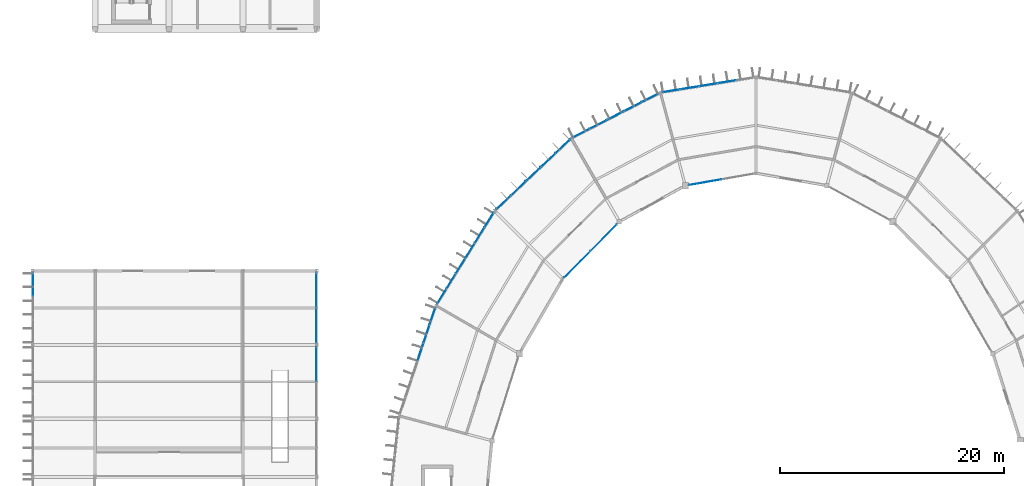
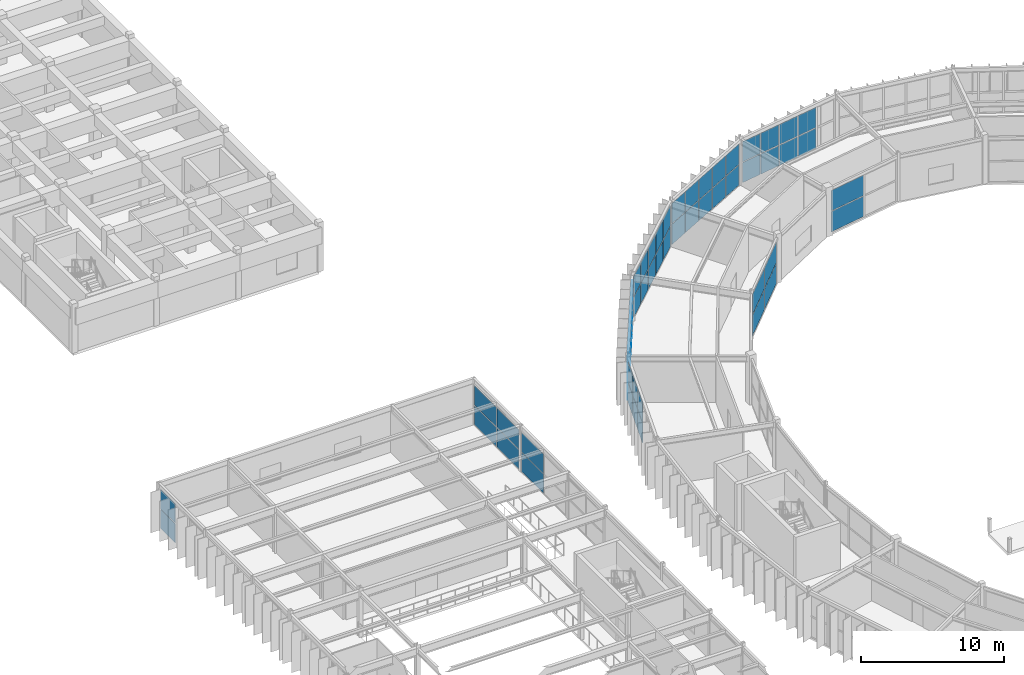
# One storey, part 117 of 157: 60 plates, 10 elements without a shape of their own.
"""IFC4 building model written with IfcOpenShell, lengths in metres."""

from ifc_helpers import new_model, si_unit, direction, frame, origin, origin_2d, place, context, subcontext, project, spatial, rectangle, extrude, material, layer, layer_set, type_object, element, aggregate, save


model = new_model("IFC4")

# Units and contexts
model_context = context("Model", 3, precision=1e-05, world=origin(), true_north=direction((0.0, 1.0)))
body_context = subcontext(model_context, "Body", "Model", "MODEL_VIEW")
ifc_project = project(units=[si_unit("LENGTHUNIT", "METRE"), si_unit("AREAUNIT", "SQUARE_METRE"), si_unit("VOLUMEUNIT", "CUBIC_METRE"), si_unit("PLANEANGLEUNIT", "RADIAN"), si_unit("MASSUNIT", "GRAM", prefix="KILO")], contexts=[model_context])

# Site, building, storey
site_placement = place(None, origin())
site = spatial("IfcSite", under=ifc_project, at=site_placement, CompositionType="ELEMENT")
building_placement = place(site_placement, origin())
building = spatial("IfcBuilding", under=site, at=building_placement, Name="Karori Crest Natural Sciences Institute", CompositionType="ELEMENT")
storey_placement = place(building_placement, frame((0.0, 0.0, 13.300048828125)))
storey = spatial("IfcBuildingStorey", under=building, at=storey_placement, Name="L03", CompositionType="ELEMENT", Elevation=13.300048828125)

# Curtain wall, plates
ifc_material_1 = material(Name="Anodised architectural aluminium 6063-T6", Category="aluminium")
curtain_wall_type_1 = type_object("IfcCurtainWallType", Name="CWT-07", PredefinedType="NOTDEFINED", material=ifc_material_1)
curtain_wall_1_placement = place(storey_placement, origin())
curtain_wall_1 = element("IfcCurtainWall", 1, at=curtain_wall_1_placement, inside=storey, type_object=curtain_wall_type_1, Name="Curtain wall CW-0109", PredefinedType="NOTDEFINED")
ifc_material_2 = material(Name="Double low-E laminated glass", Category="glass")
ifc_layer_1 = layer(ifc_material_2, 0.02392578125, Name="Double low-E laminated glass")
ifc_layer_set_1 = layer_set([ifc_layer_1], Name="Double low-E laminated glass")
plate_type_1 = type_object("IfcPlateType", Name="CWP-01", PredefinedType="CURTAIN_PANEL", material=ifc_layer_set_1)
plate_1_placement = place(storey_placement, frame((58.8291015625, 89.4677734375, 0.06494140625), z_axis=(0.0, 0.0, 1.0), x_axis=(0.987011397252, 0.160650246484, 0.0)))
plate_1 = element("IfcPlate", 2, at=plate_1_placement, type_object=plate_type_1, Name="CW-0109 panel 1.1", PredefinedType="CURTAIN_PANEL", context=body_context, shape_type="SweptSolid", body=[
    extrude(rectangle(XDim=1.582275390625, YDim=0.02392578125, at=origin_2d()), origin(), (0.0, 0.0, 1.0), 1.715087890625),
])
plate_2_placement = place(storey_placement, frame((58.8291015625, 89.4677734375, 1.8447265625), z_axis=(0.0, 0.0, 1.0), x_axis=(0.987011397252, 0.160650246484, 0.0)))
plate_2 = element("IfcPlate", 3, at=plate_2_placement, type_object=plate_type_1, Name="CW-0109 panel 1.2", PredefinedType="CURTAIN_PANEL", context=body_context, shape_type="SweptSolid", body=[
    extrude(rectangle(XDim=1.582275390625, YDim=0.02392578125, at=origin_2d()), origin(), (0.0, 0.0, 1.0), 1.715087890625),
])
plate_3_placement = place(storey_placement, frame((60.47119140625, 89.735107421875, 0.06494140625), z_axis=(0.0, 0.0, 1.0), x_axis=(0.987011397252, 0.160650246484, 0.0)))
plate_3 = element("IfcPlate", 4, at=plate_3_placement, type_object=plate_type_1, Name="CW-0109 panel 2.1", PredefinedType="CURTAIN_PANEL", context=body_context, shape_type="SweptSolid", body=[
    extrude(rectangle(XDim=1.61474609375, YDim=0.02392578125, at=origin_2d()), origin(), (0.0, 0.0, 1.0), 1.715087890625),
])
plate_4_placement = place(storey_placement, frame((60.47119140625, 89.735107421875, 1.8447265625), z_axis=(0.0, 0.0, 1.0), x_axis=(0.987011397252, 0.160650246484, 0.0)))
plate_4 = element("IfcPlate", 5, at=plate_4_placement, type_object=plate_type_1, Name="CW-0109 panel 2.2", PredefinedType="CURTAIN_PANEL", context=body_context, shape_type="SweptSolid", body=[
    extrude(rectangle(XDim=1.61474609375, YDim=0.02392578125, at=origin_2d()), origin(), (0.0, 0.0, 1.0), 1.715087890625),
])
plate_5_placement = place(storey_placement, frame((62.129150390625, 90.0048828125, 0.06494140625), z_axis=(0.0, 0.0, 1.0), x_axis=(0.987011397252, 0.160650246484, 0.0)))
plate_5 = element("IfcPlate", 6, at=plate_5_placement, type_object=plate_type_1, Name="CW-0109 panel 3.1", PredefinedType="CURTAIN_PANEL", context=body_context, shape_type="SweptSolid", body=[
    extrude(rectangle(XDim=1.61474609375, YDim=0.02392578125, at=origin_2d()), origin(), (0.0, 0.0, 1.0), 1.715087890625),
])
plate_6_placement = place(storey_placement, frame((62.129150390625, 90.0048828125, 1.8447265625), z_axis=(0.0, 0.0, 1.0), x_axis=(0.987011397252, 0.160650246484, 0.0)))
plate_6 = element("IfcPlate", 7, at=plate_6_placement, type_object=plate_type_1, Name="CW-0109 panel 3.2", PredefinedType="CURTAIN_PANEL", context=body_context, shape_type="SweptSolid", body=[
    extrude(rectangle(XDim=1.61474609375, YDim=0.02392578125, at=origin_2d()), origin(), (0.0, 0.0, 1.0), 1.715087890625),
])
plate_7_placement = place(storey_placement, frame((63.787109375, 90.274658203125, 0.06494140625), z_axis=(0.0, 0.0, 1.0), x_axis=(0.987011397252, 0.160650246484, 0.0)))
plate_7 = element("IfcPlate", 8, at=plate_7_placement, type_object=plate_type_1, Name="CW-0109 panel 4.1", PredefinedType="CURTAIN_PANEL", context=body_context, shape_type="SweptSolid", body=[
    extrude(rectangle(XDim=1.61474609375, YDim=0.02392578125, at=origin_2d()), origin(), (0.0, 0.0, 1.0), 1.715087890625),
])
plate_8_placement = place(storey_placement, frame((63.787109375, 90.274658203125, 1.8447265625), z_axis=(0.0, 0.0, 1.0), x_axis=(0.987011397252, 0.160650246484, 0.0)))
plate_8 = element("IfcPlate", 9, at=plate_8_placement, type_object=plate_type_1, Name="CW-0109 panel 4.2", PredefinedType="CURTAIN_PANEL", context=body_context, shape_type="SweptSolid", body=[
    extrude(rectangle(XDim=1.61474609375, YDim=0.02392578125, at=origin_2d()), origin(), (0.0, 0.0, 1.0), 1.715087890625),
])
aggregate(curtain_wall_1, [plate_1, plate_2, plate_3, plate_4, plate_5, plate_6, plate_7, plate_8])

curtain_wall_type_2 = type_object("IfcCurtainWallType", Name="CWT-12", PredefinedType="NOTDEFINED", material=ifc_material_1)
curtain_wall_2_placement = place(storey_placement, origin())
curtain_wall_2 = element("IfcCurtainWall", 10, at=curtain_wall_2_placement, inside=storey, type_object=curtain_wall_type_2, Name="Curtain wall CW-0110", PredefinedType="NOTDEFINED")
plate_9_placement = place(storey_placement, frame((61.859130859375, 81.31103515625, 0.06005859375), z_axis=(0.0, 0.0, 1.0), x_axis=(-0.985240827231, -0.171173924291, 0.0)))
plate_9 = element("IfcPlate", 11, at=plate_9_placement, type_object=plate_type_1, Name="CW-0110 panel 2.1", PredefinedType="CURTAIN_PANEL", context=body_context, shape_type="SweptSolid", body=[
    extrude(rectangle(XDim=2.91796875, YDim=0.02392578125, at=origin_2d()), origin(), (0.0, 0.0, 1.0), 1.735107421875),
])
plate_10_placement = place(storey_placement, frame((61.859130859375, 81.31103515625, 1.85498046875), z_axis=(0.0, 0.0, 1.0), x_axis=(-0.985240827231, -0.171173924291, 0.0)))
plate_10 = element("IfcPlate", 12, at=plate_10_placement, type_object=plate_type_1, Name="CW-0110 panel 2.2", PredefinedType="CURTAIN_PANEL", context=body_context, shape_type="SweptSolid", body=[
    extrude(rectangle(XDim=2.91796875, YDim=0.02392578125, at=origin_2d()), origin(), (0.0, 0.0, 1.0), 1.735107421875),
])
aggregate(curtain_wall_2, [plate_9, plate_10])

curtain_wall_type_3 = type_object("IfcCurtainWallType", Name="CWT-14", PredefinedType="NOTDEFINED", material=ifc_material_1)
curtain_wall_3_placement = place(storey_placement, origin())
curtain_wall_3 = element("IfcCurtainWall", 13, at=curtain_wall_3_placement, inside=storey, type_object=curtain_wall_type_3, Name="Curtain wall CW-0113", PredefinedType="NOTDEFINED")
plate_11_placement = place(storey_placement, frame((52.803466796875, 76.371826171875, 0.06005859375), z_axis=(0.0, 0.0, 1.0), x_axis=(-0.702660818381, -0.711524963942, 0.0)))
plate_11 = element("IfcPlate", 14, at=plate_11_placement, type_object=plate_type_1, Name="CW-0113 panel 1.1", PredefinedType="CURTAIN_PANEL", context=body_context, shape_type="SweptSolid", body=[
    extrude(rectangle(XDim=3.286865234375, YDim=0.02392578125, at=origin_2d()), origin(), (0.0, 0.0, 1.0), 1.735107421875),
])
plate_12_placement = place(storey_placement, frame((52.803466796875, 76.371826171875, 1.85498046875), z_axis=(0.0, 0.0, 1.0), x_axis=(-0.702660818381, -0.711524963942, 0.0)))
plate_12 = element("IfcPlate", 15, at=plate_12_placement, type_object=plate_type_1, Name="CW-0113 panel 1.2", PredefinedType="CURTAIN_PANEL", context=body_context, shape_type="SweptSolid", body=[
    extrude(rectangle(XDim=3.286865234375, YDim=0.02392578125, at=origin_2d()), origin(), (0.0, 0.0, 1.0), 1.735107421875),
])
plate_13_placement = place(storey_placement, frame((50.4482421875, 73.98681640625, 0.06005859375), z_axis=(0.0, 0.0, 1.0), x_axis=(-0.702660818381, -0.711524963942, 0.0)))
plate_13 = element("IfcPlate", 16, at=plate_13_placement, type_object=plate_type_1, Name="CW-0113 panel 2.1", PredefinedType="CURTAIN_PANEL", context=body_context, shape_type="SweptSolid", body=[
    extrude(rectangle(XDim=3.286865234375, YDim=0.02392578125, at=origin_2d()), origin(), (0.0, 0.0, 1.0), 1.735107421875),
])
plate_14_placement = place(storey_placement, frame((50.4482421875, 73.98681640625, 1.85498046875), z_axis=(0.0, 0.0, 1.0), x_axis=(-0.702660818381, -0.711524963942, 0.0)))
plate_14 = element("IfcPlate", 17, at=plate_14_placement, type_object=plate_type_1, Name="CW-0113 panel 2.2", PredefinedType="CURTAIN_PANEL", context=body_context, shape_type="SweptSolid", body=[
    extrude(rectangle(XDim=3.286865234375, YDim=0.02392578125, at=origin_2d()), origin(), (0.0, 0.0, 1.0), 1.735107421875),
])
aggregate(curtain_wall_3, [plate_11, plate_12, plate_13, plate_14])

curtain_wall_type_4 = type_object("IfcCurtainWallType", Name="CWT-10", PredefinedType="NOTDEFINED", material=ifc_material_1)
curtain_wall_4_placement = place(storey_placement, origin())
curtain_wall_4 = element("IfcCurtainWall", 18, at=curtain_wall_4_placement, inside=storey, type_object=curtain_wall_type_4, Name="Curtain wall CW-0114", PredefinedType="NOTDEFINED")
plate_15_placement = place(storey_placement, frame((38.33154296875, 71.1220703125, 0.06005859375), z_axis=(0.0, 0.0, 1.0), x_axis=(0.527323896352, 0.849664350398, 0.0)))
plate_15 = element("IfcPlate", 19, at=plate_15_placement, type_object=plate_type_1, Name="CW-0114 panel 1.1", PredefinedType="CURTAIN_PANEL", context=body_context, shape_type="SweptSolid", body=[
    extrude(rectangle(XDim=1.51025390625, YDim=0.02392578125, at=origin_2d()), origin(), (0.0, 0.0, 1.0), 1.722412109375),
])
plate_16_placement = place(storey_placement, frame((38.33154296875, 71.1220703125, 1.84228515625), z_axis=(0.0, 0.0, 1.0), x_axis=(0.527323896352, 0.849664350398, 0.0)))
plate_16 = element("IfcPlate", 20, at=plate_16_placement, type_object=plate_type_1, Name="CW-0114 panel 1.2", PredefinedType="CURTAIN_PANEL", context=body_context, shape_type="SweptSolid", body=[
    extrude(rectangle(XDim=1.51025390625, YDim=0.02392578125, at=origin_2d()), origin(), (0.0, 0.0, 1.0), 1.722412109375),
])
plate_17_placement = place(storey_placement, frame((39.170654296875, 72.474365234375, 0.06005859375), z_axis=(0.0, 0.0, 1.0), x_axis=(0.527323896352, 0.849664350398, 0.0)))
plate_17 = element("IfcPlate", 21, at=plate_17_placement, type_object=plate_type_1, Name="CW-0114 panel 2.1", PredefinedType="CURTAIN_PANEL", context=body_context, shape_type="SweptSolid", body=[
    extrude(rectangle(XDim=1.542724609375, YDim=0.02392578125, at=origin_2d()), origin(), (0.0, 0.0, 1.0), 1.722412109375),
])
plate_18_placement = place(storey_placement, frame((39.170654296875, 72.474365234375, 1.84228515625), z_axis=(0.0, 0.0, 1.0), x_axis=(0.527323896352, 0.849664350398, 0.0)))
plate_18 = element("IfcPlate", 22, at=plate_18_placement, type_object=plate_type_1, Name="CW-0114 panel 2.2", PredefinedType="CURTAIN_PANEL", context=body_context, shape_type="SweptSolid", body=[
    extrude(rectangle(XDim=1.542724609375, YDim=0.02392578125, at=origin_2d()), origin(), (0.0, 0.0, 1.0), 1.722412109375),
])
plate_19_placement = place(storey_placement, frame((40.0185546875, 73.840576171875, 0.06005859375), z_axis=(0.0, 0.0, 1.0), x_axis=(0.527323896352, 0.849664350398, 0.0)))
plate_19 = element("IfcPlate", 23, at=plate_19_placement, type_object=plate_type_1, Name="CW-0114 panel 3.1", PredefinedType="CURTAIN_PANEL", context=body_context, shape_type="SweptSolid", body=[
    extrude(rectangle(XDim=1.542724609375, YDim=0.02392578125, at=origin_2d()), origin(), (0.0, 0.0, 1.0), 1.722412109375),
])
plate_20_placement = place(storey_placement, frame((40.0185546875, 73.840576171875, 1.84228515625), z_axis=(0.0, 0.0, 1.0), x_axis=(0.527323896352, 0.849664350398, 0.0)))
plate_20 = element("IfcPlate", 24, at=plate_20_placement, type_object=plate_type_1, Name="CW-0114 panel 3.2", PredefinedType="CURTAIN_PANEL", context=body_context, shape_type="SweptSolid", body=[
    extrude(rectangle(XDim=1.542724609375, YDim=0.02392578125, at=origin_2d()), origin(), (0.0, 0.0, 1.0), 1.722412109375),
])
plate_21_placement = place(storey_placement, frame((40.866455078125, 75.20654296875, 0.06005859375), z_axis=(0.0, 0.0, 1.0), x_axis=(0.527323896352, 0.849664350398, 0.0)))
plate_21 = element("IfcPlate", 25, at=plate_21_placement, type_object=plate_type_1, Name="CW-0114 panel 4.1", PredefinedType="CURTAIN_PANEL", context=body_context, shape_type="SweptSolid", body=[
    extrude(rectangle(XDim=1.542724609375, YDim=0.02392578125, at=origin_2d()), origin(), (0.0, 0.0, 1.0), 1.722412109375),
])
plate_22_placement = place(storey_placement, frame((40.866455078125, 75.20654296875, 1.84228515625), z_axis=(0.0, 0.0, 1.0), x_axis=(0.527323896352, 0.849664350398, 0.0)))
plate_22 = element("IfcPlate", 26, at=plate_22_placement, type_object=plate_type_1, Name="CW-0114 panel 4.2", PredefinedType="CURTAIN_PANEL", context=body_context, shape_type="SweptSolid", body=[
    extrude(rectangle(XDim=1.542724609375, YDim=0.02392578125, at=origin_2d()), origin(), (0.0, 0.0, 1.0), 1.722412109375),
])
plate_23_placement = place(storey_placement, frame((41.714111328125, 76.572509765625, 0.06005859375), z_axis=(0.0, 0.0, 1.0), x_axis=(0.527323896352, 0.849664350398, 0.0)))
plate_23 = element("IfcPlate", 27, at=plate_23_placement, type_object=plate_type_1, Name="CW-0114 panel 5.1", PredefinedType="CURTAIN_PANEL", context=body_context, shape_type="SweptSolid", body=[
    extrude(rectangle(XDim=1.542724609375, YDim=0.02392578125, at=origin_2d()), origin(), (0.0, 0.0, 1.0), 1.722412109375),
])
plate_24_placement = place(storey_placement, frame((41.714111328125, 76.572509765625, 1.84228515625), z_axis=(0.0, 0.0, 1.0), x_axis=(0.527323896352, 0.849664350398, 0.0)))
plate_24 = element("IfcPlate", 28, at=plate_24_placement, type_object=plate_type_1, Name="CW-0114 panel 5.2", PredefinedType="CURTAIN_PANEL", context=body_context, shape_type="SweptSolid", body=[
    extrude(rectangle(XDim=1.542724609375, YDim=0.02392578125, at=origin_2d()), origin(), (0.0, 0.0, 1.0), 1.722412109375),
])
plate_25_placement = place(storey_placement, frame((42.553466796875, 77.9248046875, 0.06005859375), z_axis=(0.0, 0.0, 1.0), x_axis=(0.527323896352, 0.849664350398, 0.0)))
plate_25 = element("IfcPlate", 29, at=plate_25_placement, type_object=plate_type_1, Name="CW-0114 panel 6.1", PredefinedType="CURTAIN_PANEL", context=body_context, shape_type="SweptSolid", body=[
    extrude(rectangle(XDim=1.51025390625, YDim=0.02392578125, at=origin_2d()), origin(), (0.0, 0.0, 1.0), 1.722412109375),
])
plate_26_placement = place(storey_placement, frame((42.553466796875, 77.9248046875, 1.84228515625), z_axis=(0.0, 0.0, 1.0), x_axis=(0.527323896352, 0.849664350398, 0.0)))
plate_26 = element("IfcPlate", 30, at=plate_26_placement, type_object=plate_type_1, Name="CW-0114 panel 6.2", PredefinedType="CURTAIN_PANEL", context=body_context, shape_type="SweptSolid", body=[
    extrude(rectangle(XDim=1.51025390625, YDim=0.02392578125, at=origin_2d()), origin(), (0.0, 0.0, 1.0), 1.722412109375),
])
aggregate(curtain_wall_4, [plate_15, plate_16, plate_17, plate_18, plate_19, plate_20, plate_21, plate_22, plate_23, plate_24, plate_25, plate_26])

curtain_wall_type_5 = type_object("IfcCurtainWallType", Name="CWT-17", PredefinedType="NOTDEFINED", material=ifc_material_1)
curtain_wall_5_placement = place(storey_placement, origin())
curtain_wall_5 = element("IfcCurtainWall", 31, at=curtain_wall_5_placement, inside=storey, type_object=curtain_wall_type_5, Name="Curtain wall CW-0282", PredefinedType="NOTDEFINED")
plate_27_placement = place(storey_placement, frame((1.860107421875, 72.20166015625, 0.06005859375), z_axis=(0.0, 0.0, 1.0), x_axis=(0.0, 1.0, 0.0)))
plate_27 = element("IfcPlate", 32, at=plate_27_placement, type_object=plate_type_1, Name="CW-0282 panel 3.1", PredefinedType="CURTAIN_PANEL", context=body_context, shape_type="SweptSolid", body=[
    extrude(rectangle(XDim=2.0205078125, YDim=0.02392578125, at=origin_2d()), origin(), (0.0, 0.0, 1.0), 1.632568359375),
])
plate_28_placement = place(storey_placement, frame((1.860107421875, 72.20166015625, 1.75244140625), z_axis=(0.0, 0.0, 1.0), x_axis=(0.0, 1.0, 0.0)))
plate_28 = element("IfcPlate", 33, at=plate_28_placement, type_object=plate_type_1, Name="CW-0282 panel 3.2", PredefinedType="CURTAIN_PANEL", context=body_context, shape_type="SweptSolid", body=[
    extrude(rectangle(XDim=2.0205078125, YDim=0.02392578125, at=origin_2d()), origin(), (0.0, 0.0, 1.0), 1.632568359375),
])
aggregate(curtain_wall_5, [plate_27, plate_28])

curtain_wall_type_6 = type_object("IfcCurtainWallType", Name="CWT-18", PredefinedType="NOTDEFINED", material=ifc_material_1)
curtain_wall_6_placement = place(storey_placement, origin())
curtain_wall_6 = element("IfcCurtainWall", 34, at=curtain_wall_6_placement, inside=storey, type_object=curtain_wall_type_6, Name="Curtain wall CW-0284", PredefinedType="NOTDEFINED")
plate_29_placement = place(storey_placement, frame((27.139892578125, 65.072265625, 0.06005859375), z_axis=(0.0, 0.0, 1.0), x_axis=(0.0, -1.0, 0.0)))
plate_29 = element("IfcPlate", 35, at=plate_29_placement, type_object=plate_type_1, Name="CW-0284 panel 1.1", PredefinedType="CURTAIN_PANEL", context=body_context, shape_type="SweptSolid", body=[
    extrude(rectangle(XDim=3.07958984375, YDim=0.02392578125, at=origin_2d()), origin(), (0.0, 0.0, 1.0), 1.632568359375),
])
plate_30_placement = place(storey_placement, frame((27.139892578125, 65.072265625, 1.75244140625), z_axis=(0.0, 0.0, 1.0), x_axis=(0.0, -1.0, 0.0)))
plate_30 = element("IfcPlate", 36, at=plate_30_placement, type_object=plate_type_1, Name="CW-0284 panel 1.2", PredefinedType="CURTAIN_PANEL", context=body_context, shape_type="SweptSolid", body=[
    extrude(rectangle(XDim=3.07958984375, YDim=0.02392578125, at=origin_2d()), origin(), (0.0, 0.0, 1.0), 1.632568359375),
])
aggregate(curtain_wall_6, [plate_29, plate_30])

curtain_wall_7_placement = place(storey_placement, origin())
curtain_wall_7 = element("IfcCurtainWall", 37, at=curtain_wall_7_placement, inside=storey, type_object=curtain_wall_type_6, Name="Curtain wall CW-0285", PredefinedType="NOTDEFINED")
plate_31_placement = place(storey_placement, frame((27.139892578125, 71.67236328125, 0.06005859375), z_axis=(0.0, 0.0, 1.0), x_axis=(0.0, -1.0, 0.0)))
plate_31 = element("IfcPlate", 38, at=plate_31_placement, type_object=plate_type_1, Name="CW-0285 panel 1.1", PredefinedType="CURTAIN_PANEL", context=body_context, shape_type="SweptSolid", body=[
    extrude(rectangle(XDim=3.07958984375, YDim=0.02392578125, at=origin_2d()), origin(), (0.0, 0.0, 1.0), 1.632568359375),
])
plate_32_placement = place(storey_placement, frame((27.139892578125, 71.67236328125, 1.75244140625), z_axis=(0.0, 0.0, 1.0), x_axis=(0.0, -1.0, 0.0)))
plate_32 = element("IfcPlate", 39, at=plate_32_placement, type_object=plate_type_1, Name="CW-0285 panel 1.2", PredefinedType="CURTAIN_PANEL", context=body_context, shape_type="SweptSolid", body=[
    extrude(rectangle(XDim=3.07958984375, YDim=0.02392578125, at=origin_2d()), origin(), (0.0, 0.0, 1.0), 1.632568359375),
])
plate_33_placement = place(storey_placement, frame((27.139892578125, 68.52783203125, 0.06005859375), z_axis=(0.0, 0.0, 1.0), x_axis=(0.0, -1.0, 0.0)))
plate_33 = element("IfcPlate", 40, at=plate_33_placement, type_object=plate_type_1, Name="CW-0285 panel 2.1", PredefinedType="CURTAIN_PANEL", context=body_context, shape_type="SweptSolid", body=[
    extrude(rectangle(XDim=3.07958984375, YDim=0.02392578125, at=origin_2d()), origin(), (0.0, 0.0, 1.0), 1.632568359375),
])
plate_34_placement = place(storey_placement, frame((27.139892578125, 68.52783203125, 1.75244140625), z_axis=(0.0, 0.0, 1.0), x_axis=(0.0, -1.0, 0.0)))
plate_34 = element("IfcPlate", 41, at=plate_34_placement, type_object=plate_type_1, Name="CW-0285 panel 2.2", PredefinedType="CURTAIN_PANEL", context=body_context, shape_type="SweptSolid", body=[
    extrude(rectangle(XDim=3.07958984375, YDim=0.02392578125, at=origin_2d()), origin(), (0.0, 0.0, 1.0), 1.632568359375),
])
aggregate(curtain_wall_7, [plate_31, plate_32, plate_33, plate_34])

curtain_wall_type_7 = type_object("IfcCurtainWallType", Name="CWT-08", PredefinedType="NOTDEFINED", material=ifc_material_1)
curtain_wall_8_placement = place(storey_placement, origin())
curtain_wall_8 = element("IfcCurtainWall", 42, at=curtain_wall_8_placement, inside=storey, type_object=curtain_wall_type_7, Name="Curtain wall CW-0111", PredefinedType="NOTDEFINED")
ifc_layer_2 = layer(ifc_material_2, 0.033935546875, Name="Double low-E laminated glass")
ifc_layer_set_2 = layer_set([ifc_layer_2], Name="Double low-E laminated glass")
plate_type_2 = type_object("IfcPlateType", Name="CWP-02", PredefinedType="CURTAIN_PANEL", material=ifc_layer_set_2)
plate_35_placement = place(storey_placement, frame((50.765625, 85.677001953125, 0.06005859375), z_axis=(0.0, 0.0, 1.0), x_axis=(0.890067432138, 0.455828878252, 0.0)))
plate_35 = element("IfcPlate", 43, at=plate_35_placement, type_object=plate_type_2, Name="CW-0111 panel 1.1", PredefinedType="CURTAIN_PANEL", context=body_context, shape_type="SweptSolid", body=[
    extrude(rectangle(XDim=1.645751953125, YDim=0.033935546875, at=origin_2d()), origin(), (0.0, 0.0, 1.0), 1.722412109375),
])
plate_36_placement = place(storey_placement, frame((50.765625, 85.677001953125, 1.84228515625), z_axis=(0.0, 0.0, 1.0), x_axis=(0.890067432138, 0.455828878252, 0.0)))
plate_36 = element("IfcPlate", 44, at=plate_36_placement, type_object=plate_type_2, Name="CW-0111 panel 1.2", PredefinedType="CURTAIN_PANEL", context=body_context, shape_type="SweptSolid", body=[
    extrude(rectangle(XDim=1.645751953125, YDim=0.033935546875, at=origin_2d()), origin(), (0.0, 0.0, 1.0), 1.722412109375),
])
plate_37_placement = place(storey_placement, frame((52.302734375, 86.46435546875, 0.06005859375), z_axis=(0.0, 0.0, 1.0), x_axis=(0.890067432138, 0.455828878252, 0.0)))
plate_37 = element("IfcPlate", 45, at=plate_37_placement, type_object=plate_type_2, Name="CW-0111 panel 2.1", PredefinedType="CURTAIN_PANEL", context=body_context, shape_type="SweptSolid", body=[
    extrude(rectangle(XDim=1.678466796875, YDim=0.033935546875, at=origin_2d()), origin(), (0.0, 0.0, 1.0), 1.722412109375),
])
plate_38_placement = place(storey_placement, frame((52.302734375, 86.46435546875, 1.84228515625), z_axis=(0.0, 0.0, 1.0), x_axis=(0.890067432138, 0.455828878252, 0.0)))
plate_38 = element("IfcPlate", 46, at=plate_38_placement, type_object=plate_type_2, Name="CW-0111 panel 2.2", PredefinedType="CURTAIN_PANEL", context=body_context, shape_type="SweptSolid", body=[
    extrude(rectangle(XDim=1.678466796875, YDim=0.033935546875, at=origin_2d()), origin(), (0.0, 0.0, 1.0), 1.722412109375),
])
plate_39_placement = place(storey_placement, frame((53.8544921875, 87.259033203125, 0.06005859375), z_axis=(0.0, 0.0, 1.0), x_axis=(0.890067432138, 0.455828878252, 0.0)))
plate_39 = element("IfcPlate", 47, at=plate_39_placement, type_object=plate_type_2, Name="CW-0111 panel 3.1", PredefinedType="CURTAIN_PANEL", context=body_context, shape_type="SweptSolid", body=[
    extrude(rectangle(XDim=1.678466796875, YDim=0.033935546875, at=origin_2d()), origin(), (0.0, 0.0, 1.0), 1.722412109375),
])
plate_40_placement = place(storey_placement, frame((53.8544921875, 87.259033203125, 1.84228515625), z_axis=(0.0, 0.0, 1.0), x_axis=(0.890067432138, 0.455828878252, 0.0)))
plate_40 = element("IfcPlate", 48, at=plate_40_placement, type_object=plate_type_2, Name="CW-0111 panel 3.2", PredefinedType="CURTAIN_PANEL", context=body_context, shape_type="SweptSolid", body=[
    extrude(rectangle(XDim=1.678466796875, YDim=0.033935546875, at=origin_2d()), origin(), (0.0, 0.0, 1.0), 1.722412109375),
])
plate_41_placement = place(storey_placement, frame((55.40625, 88.0537109375, 0.06005859375), z_axis=(0.0, 0.0, 1.0), x_axis=(0.890067432138, 0.455828878252, 0.0)))
plate_41 = element("IfcPlate", 49, at=plate_41_placement, type_object=plate_type_2, Name="CW-0111 panel 4.1", PredefinedType="CURTAIN_PANEL", context=body_context, shape_type="SweptSolid", body=[
    extrude(rectangle(XDim=1.678466796875, YDim=0.033935546875, at=origin_2d()), origin(), (0.0, 0.0, 1.0), 1.722412109375),
])
plate_42_placement = place(storey_placement, frame((55.40625, 88.0537109375, 1.84228515625), z_axis=(0.0, 0.0, 1.0), x_axis=(0.890067432138, 0.455828878252, 0.0)))
plate_42 = element("IfcPlate", 50, at=plate_42_placement, type_object=plate_type_2, Name="CW-0111 panel 4.2", PredefinedType="CURTAIN_PANEL", context=body_context, shape_type="SweptSolid", body=[
    extrude(rectangle(XDim=1.678466796875, YDim=0.033935546875, at=origin_2d()), origin(), (0.0, 0.0, 1.0), 1.722412109375),
])
plate_43_placement = place(storey_placement, frame((56.943359375, 88.841064453125, 0.06005859375), z_axis=(0.0, 0.0, 1.0), x_axis=(0.890067432138, 0.455828878252, 0.0)))
plate_43 = element("IfcPlate", 51, at=plate_43_placement, type_object=plate_type_2, Name="CW-0111 panel 5.1", PredefinedType="CURTAIN_PANEL", context=body_context, shape_type="SweptSolid", body=[
    extrude(rectangle(XDim=1.645751953125, YDim=0.033935546875, at=origin_2d()), origin(), (0.0, 0.0, 1.0), 1.722412109375),
])
plate_44_placement = place(storey_placement, frame((56.943359375, 88.841064453125, 1.84228515625), z_axis=(0.0, 0.0, 1.0), x_axis=(0.890067432138, 0.455828878252, 0.0)))
plate_44 = element("IfcPlate", 52, at=plate_44_placement, type_object=plate_type_2, Name="CW-0111 panel 5.2", PredefinedType="CURTAIN_PANEL", context=body_context, shape_type="SweptSolid", body=[
    extrude(rectangle(XDim=1.645751953125, YDim=0.033935546875, at=origin_2d()), origin(), (0.0, 0.0, 1.0), 1.722412109375),
])
aggregate(curtain_wall_8, [plate_35, plate_36, plate_37, plate_38, plate_39, plate_40, plate_41, plate_42, plate_43, plate_44])

curtain_wall_type_8 = type_object("IfcCurtainWallType", Name="CWT-01", PredefinedType="NOTDEFINED", material=ifc_material_1)
curtain_wall_9_placement = place(storey_placement, origin())
curtain_wall_9 = element("IfcCurtainWall", 53, at=curtain_wall_9_placement, inside=storey, type_object=curtain_wall_type_8, Name="Curtain wall CW-0115", PredefinedType="NOTDEFINED")
plate_45_placement = place(storey_placement, frame((36.43408203125, 66.159912109375, 0.06494140625), z_axis=(0.0, 0.0, 1.0), x_axis=(0.317679803392, 0.94819805026, 0.0)))
plate_45 = element("IfcPlate", 54, at=plate_45_placement, type_object=plate_type_2, Name="CW-0115 panel 4.1", PredefinedType="CURTAIN_PANEL", context=body_context, shape_type="SweptSolid", body=[
    extrude(rectangle(XDim=1.628662109375, YDim=0.033935546875, at=origin_2d()), origin(), (0.0, 0.0, 1.0), 1.715087890625),
])
plate_46_placement = place(storey_placement, frame((36.43408203125, 66.159912109375, 1.8447265625), z_axis=(0.0, 0.0, 1.0), x_axis=(0.317679803392, 0.94819805026, 0.0)))
plate_46 = element("IfcPlate", 55, at=plate_46_placement, type_object=plate_type_2, Name="CW-0115 panel 4.2", PredefinedType="CURTAIN_PANEL", context=body_context, shape_type="SweptSolid", body=[
    extrude(rectangle(XDim=1.628662109375, YDim=0.033935546875, at=origin_2d()), origin(), (0.0, 0.0, 1.0), 1.715087890625),
])
plate_47_placement = place(storey_placement, frame((36.97216796875, 67.765869140625, 0.06494140625), z_axis=(0.0, 0.0, 1.0), x_axis=(0.317679803392, 0.94819805026, 0.0)))
plate_47 = element("IfcPlate", 56, at=plate_47_placement, type_object=plate_type_2, Name="CW-0115 panel 5.1", PredefinedType="CURTAIN_PANEL", context=body_context, shape_type="SweptSolid", body=[
    extrude(rectangle(XDim=1.628662109375, YDim=0.033935546875, at=origin_2d()), origin(), (0.0, 0.0, 1.0), 1.715087890625),
])
plate_48_placement = place(storey_placement, frame((36.97216796875, 67.765869140625, 1.8447265625), z_axis=(0.0, 0.0, 1.0), x_axis=(0.317679803392, 0.94819805026, 0.0)))
plate_48 = element("IfcPlate", 57, at=plate_48_placement, type_object=plate_type_2, Name="CW-0115 panel 5.2", PredefinedType="CURTAIN_PANEL", context=body_context, shape_type="SweptSolid", body=[
    extrude(rectangle(XDim=1.628662109375, YDim=0.033935546875, at=origin_2d()), origin(), (0.0, 0.0, 1.0), 1.715087890625),
])
plate_49_placement = place(storey_placement, frame((37.505126953125, 69.3564453125, 0.06494140625), z_axis=(0.0, 0.0, 1.0), x_axis=(0.317679803392, 0.94819805026, 0.0)))
plate_49 = element("IfcPlate", 58, at=plate_49_placement, type_object=plate_type_2, Name="CW-0115 panel 6.1", PredefinedType="CURTAIN_PANEL", context=body_context, shape_type="SweptSolid", body=[
    extrude(rectangle(XDim=1.59619140625, YDim=0.033935546875, at=origin_2d()), origin(), (0.0, 0.0, 1.0), 1.715087890625),
])
plate_50_placement = place(storey_placement, frame((37.505126953125, 69.3564453125, 1.8447265625), z_axis=(0.0, 0.0, 1.0), x_axis=(0.317679803392, 0.94819805026, 0.0)))
plate_50 = element("IfcPlate", 59, at=plate_50_placement, type_object=plate_type_2, Name="CW-0115 panel 6.2", PredefinedType="CURTAIN_PANEL", context=body_context, shape_type="SweptSolid", body=[
    extrude(rectangle(XDim=1.59619140625, YDim=0.033935546875, at=origin_2d()), origin(), (0.0, 0.0, 1.0), 1.715087890625),
])
aggregate(curtain_wall_9, [plate_45, plate_46, plate_47, plate_48, plate_49, plate_50])

curtain_wall_type_9 = type_object("IfcCurtainWallType", Name="CWT-09", PredefinedType="NOTDEFINED", material=ifc_material_1)
curtain_wall_10_placement = place(storey_placement, origin())
curtain_wall_10 = element("IfcCurtainWall", 60, at=curtain_wall_10_placement, inside=storey, type_object=curtain_wall_type_9, Name="Curtain wall CW-0112", PredefinedType="NOTDEFINED")
ifc_layer_3 = layer(ifc_material_2, 0.0439453125, Name="Double low-E laminated glass")
ifc_layer_set_3 = layer_set([ifc_layer_3], Name="Double low-E laminated glass")
plate_type_3 = type_object("IfcPlateType", Name="CWP-03", PredefinedType="CURTAIN_PANEL", material=ifc_layer_set_3)
plate_51_placement = place(storey_placement, frame((43.866943359375, 79.510498046875, 0.06494140625), z_axis=(0.0, 0.0, 1.0), x_axis=(0.725473081026, 0.688250542104, 0.0)))
plate_51 = element("IfcPlate", 61, at=plate_51_placement, type_object=plate_type_3, Name="CW-0112 panel 1.1", PredefinedType="CURTAIN_PANEL", context=body_context, shape_type="SweptSolid", body=[
    extrude(rectangle(XDim=1.73095703125, YDim=0.0439453125, at=origin_2d()), origin(), (0.0, 0.0, 1.0), 1.715087890625),
])
plate_52_placement = place(storey_placement, frame((43.866943359375, 79.510498046875, 1.8447265625), z_axis=(0.0, 0.0, 1.0), x_axis=(0.725473081026, 0.688250542104, 0.0)))
plate_52 = element("IfcPlate", 62, at=plate_52_placement, type_object=plate_type_3, Name="CW-0112 panel 1.2", PredefinedType="CURTAIN_PANEL", context=body_context, shape_type="SweptSolid", body=[
    extrude(rectangle(XDim=1.73095703125, YDim=0.0439453125, at=origin_2d()), origin(), (0.0, 0.0, 1.0), 1.715087890625),
])
plate_53_placement = place(storey_placement, frame((45.181640625, 80.757568359375, 0.06494140625), z_axis=(0.0, 0.0, 1.0), x_axis=(0.725473081026, 0.688250542104, 0.0)))
plate_53 = element("IfcPlate", 63, at=plate_53_placement, type_object=plate_type_3, Name="CW-0112 panel 2.1", PredefinedType="CURTAIN_PANEL", context=body_context, shape_type="SweptSolid", body=[
    extrude(rectangle(XDim=1.763427734375, YDim=0.0439453125, at=origin_2d()), origin(), (0.0, 0.0, 1.0), 1.715087890625),
])
plate_54_placement = place(storey_placement, frame((45.181640625, 80.757568359375, 1.8447265625), z_axis=(0.0, 0.0, 1.0), x_axis=(0.725473081026, 0.688250542104, 0.0)))
plate_54 = element("IfcPlate", 64, at=plate_54_placement, type_object=plate_type_3, Name="CW-0112 panel 2.2", PredefinedType="CURTAIN_PANEL", context=body_context, shape_type="SweptSolid", body=[
    extrude(rectangle(XDim=1.763427734375, YDim=0.0439453125, at=origin_2d()), origin(), (0.0, 0.0, 1.0), 1.715087890625),
])
plate_55_placement = place(storey_placement, frame((46.50830078125, 82.01611328125, 0.06494140625), z_axis=(0.0, 0.0, 1.0), x_axis=(0.725473081026, 0.688250542104, 0.0)))
plate_55 = element("IfcPlate", 65, at=plate_55_placement, type_object=plate_type_3, Name="CW-0112 panel 3.1", PredefinedType="CURTAIN_PANEL", context=body_context, shape_type="SweptSolid", body=[
    extrude(rectangle(XDim=1.763427734375, YDim=0.0439453125, at=origin_2d()), origin(), (0.0, 0.0, 1.0), 1.715087890625),
])
plate_56_placement = place(storey_placement, frame((46.50830078125, 82.01611328125, 1.8447265625), z_axis=(0.0, 0.0, 1.0), x_axis=(0.725473081026, 0.688250542104, 0.0)))
plate_56 = element("IfcPlate", 66, at=plate_56_placement, type_object=plate_type_3, Name="CW-0112 panel 3.2", PredefinedType="CURTAIN_PANEL", context=body_context, shape_type="SweptSolid", body=[
    extrude(rectangle(XDim=1.763427734375, YDim=0.0439453125, at=origin_2d()), origin(), (0.0, 0.0, 1.0), 1.715087890625),
])
plate_57_placement = place(storey_placement, frame((47.834716796875, 83.274658203125, 0.06494140625), z_axis=(0.0, 0.0, 1.0), x_axis=(0.725473081026, 0.688250542104, 0.0)))
plate_57 = element("IfcPlate", 67, at=plate_57_placement, type_object=plate_type_3, Name="CW-0112 panel 4.1", PredefinedType="CURTAIN_PANEL", context=body_context, shape_type="SweptSolid", body=[
    extrude(rectangle(XDim=1.763427734375, YDim=0.0439453125, at=origin_2d()), origin(), (0.0, 0.0, 1.0), 1.715087890625),
])
plate_58_placement = place(storey_placement, frame((47.834716796875, 83.274658203125, 1.8447265625), z_axis=(0.0, 0.0, 1.0), x_axis=(0.725473081026, 0.688250542104, 0.0)))
plate_58 = element("IfcPlate", 68, at=plate_58_placement, type_object=plate_type_3, Name="CW-0112 panel 4.2", PredefinedType="CURTAIN_PANEL", context=body_context, shape_type="SweptSolid", body=[
    extrude(rectangle(XDim=1.763427734375, YDim=0.0439453125, at=origin_2d()), origin(), (0.0, 0.0, 1.0), 1.715087890625),
])
plate_59_placement = place(storey_placement, frame((49.1494140625, 84.521728515625, 0.06494140625), z_axis=(0.0, 0.0, 1.0), x_axis=(0.725473081026, 0.688250542104, 0.0)))
plate_59 = element("IfcPlate", 69, at=plate_59_placement, type_object=plate_type_3, Name="CW-0112 panel 5.1", PredefinedType="CURTAIN_PANEL", context=body_context, shape_type="SweptSolid", body=[
    extrude(rectangle(XDim=1.73095703125, YDim=0.0439453125, at=origin_2d()), origin(), (0.0, 0.0, 1.0), 1.715087890625),
])
plate_60_placement = place(storey_placement, frame((49.1494140625, 84.521728515625, 1.8447265625), z_axis=(0.0, 0.0, 1.0), x_axis=(0.725473081026, 0.688250542104, 0.0)))
plate_60 = element("IfcPlate", 70, at=plate_60_placement, type_object=plate_type_3, Name="CW-0112 panel 5.2", PredefinedType="CURTAIN_PANEL", context=body_context, shape_type="SweptSolid", body=[
    extrude(rectangle(XDim=1.73095703125, YDim=0.0439453125, at=origin_2d()), origin(), (0.0, 0.0, 1.0), 1.715087890625),
])
aggregate(curtain_wall_10, [plate_51, plate_52, plate_53, plate_54, plate_55, plate_56, plate_57, plate_58, plate_59, plate_60])

save(model, "model.ifc")
